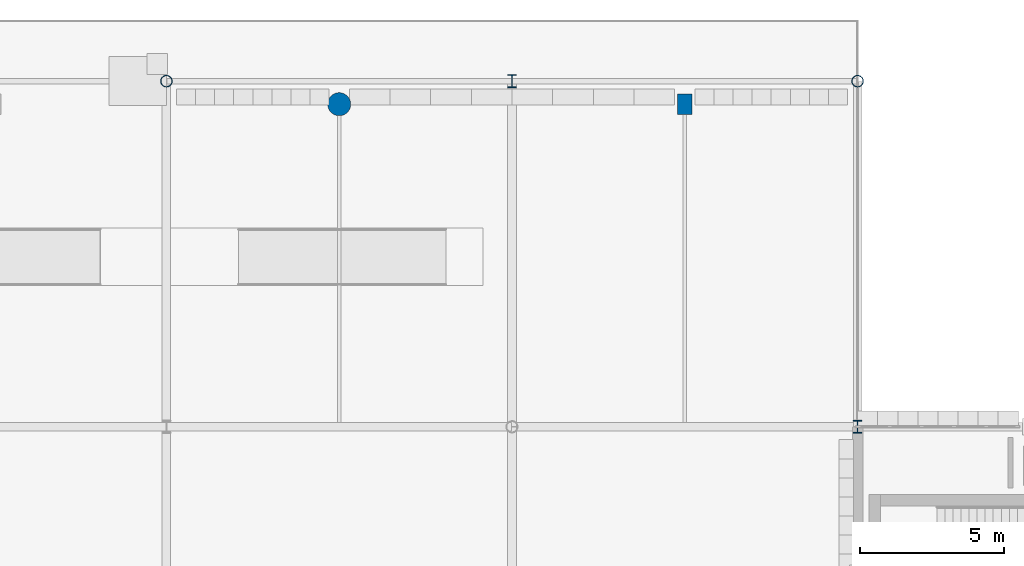
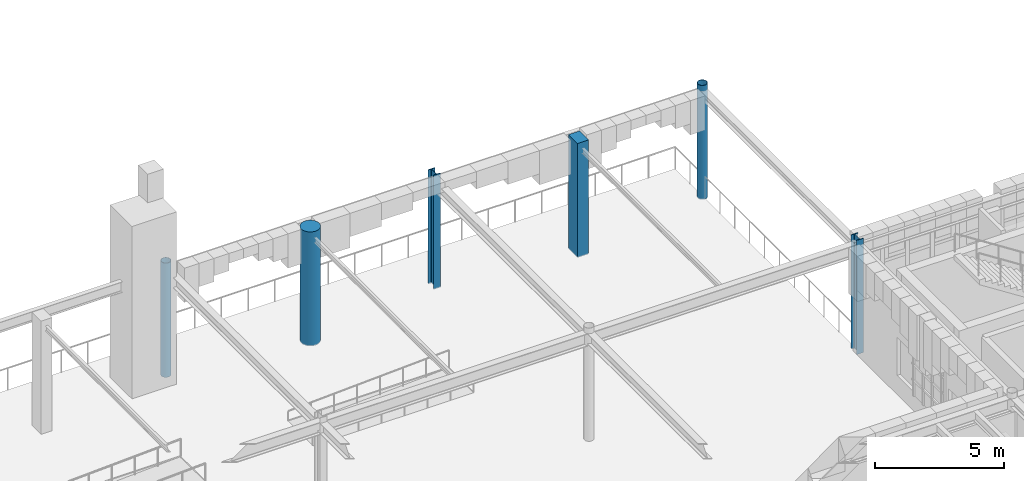
# One storey, part 11 of 103: 6 columns.
"""IFC4 building model written with IfcOpenShell, lengths in metres."""

from ifc_helpers import new_model, si_unit, direction, frame, origin, origin_2d, place, context, subcontext, project, spatial, rectangle, circle, hollow_circle, i_section, extrude, material, material_profile, profile_set, type_object, element, save


model = new_model("IFC4")

# Units and contexts
model_context = context("Model", 3, precision=1e-05, world=origin(), true_north=direction((0.0, 1.0)))
body_context = subcontext(model_context, "Body", "Model", "MODEL_VIEW")
ifc_project = project(units=[si_unit("LENGTHUNIT", "METRE"), si_unit("AREAUNIT", "SQUARE_METRE"), si_unit("VOLUMEUNIT", "CUBIC_METRE"), si_unit("PLANEANGLEUNIT", "RADIAN"), si_unit("MASSUNIT", "GRAM", prefix="KILO")], contexts=[model_context])

# Site, building, storey
site_placement = place(None, origin())
site = spatial("IfcSite", under=ifc_project, at=site_placement, CompositionType="ELEMENT")
building_placement = place(site_placement, origin())
building = spatial("IfcBuilding", under=site, at=building_placement, Name="Zlatogorsky Bluff Art Gallery", CompositionType="ELEMENT")
storey_placement = place(building_placement, origin())
storey = spatial("IfcBuildingStorey", under=building, at=storey_placement, Name="L00", CompositionType="ELEMENT", Elevation=0.0)

# Columns
ifc_material_1 = material(Name="Steel S355", Category="steel")
ifc_material_profile_1 = material_profile(ifc_material_1, i_section(OverallWidth=0.300048828125, OverallDepth=0.449951171875, WebThickness=0.013916015625, FlangeThickness=0.02587890625, FilletRadius=0.027099609375, at=origin_2d()), Name="HEB 450")
ifc_profile_set_1 = profile_set([ifc_material_profile_1], Name="Steel S355")
column_type_1 = type_object("IfcColumnType", Name="Column CL-03 HEB 450", PredefinedType="COLUMN", material=ifc_profile_set_1)
for number, where, z_axis, x_axis, name in (
    (1, (108.0, 120.0, 0.0), (0.0, 0.0, 1.0), (1.0, 0.0, 0.0), "Column CL-03 L00 K12"),
    (2, (120.0, 108.0, 0.0), (0.0, 0.0, 1.0), (1.0, 0.0, 0.0), "Column CL-03 L00 L11"),
):
    element("IfcColumn", number, at=place(storey_placement, frame(where, z_axis=z_axis, x_axis=x_axis)), inside=storey, type_object=column_type_1, Name=name, PredefinedType="COLUMN", context=body_context, shape_type="SweptSolid", body=[
        extrude(i_section(OverallWidth=0.300048828125, OverallDepth=0.449951171875, WebThickness=0.013916015625, FlangeThickness=0.02587890625, FilletRadius=0.027099609375, at=origin_2d()), origin(), (0.0, 0.0, 1.0), 5.39990234375),
    ])
ifc_material_profile_2 = material_profile(ifc_material_1, hollow_circle(Radius=0.203125, WallThickness=0.01611328125, at=origin_2d()), Name="CHS 406.4x16")
ifc_profile_set_2 = profile_set([ifc_material_profile_2], Name="Steel S355")
column_type_2 = type_object("IfcColumnType", Name="Column CL-09 CHS 406.4x16", PredefinedType="COLUMN", material=ifc_profile_set_2)
for number, where, z_axis, x_axis, name in (
    (3, (96.0, 120.0, 0.0), (0.0, 0.0, 1.0), (1.0, 0.0, 0.0), "Column CL-09 L00 J12"),
    (4, (120.0, 120.0, 0.0), (0.0, 0.0, 1.0), (1.0, 0.0, 0.0), "Column CL-09 L00 L12"),
):
    element("IfcColumn", number, at=place(storey_placement, frame(where, z_axis=z_axis, x_axis=x_axis)), inside=storey, type_object=column_type_2, Name=name, PredefinedType="COLUMN", context=body_context, shape_type="SweptSolid", body=[
        extrude(hollow_circle(Radius=0.203125, WallThickness=0.01611328125, at=origin_2d()), origin(), (0.0, 0.0, 1.0), 5.39990234375),
    ])
ifc_material_2 = material(Name="Concrete C35/45", Category="concrete")
ifc_material_profile_3 = material_profile(ifc_material_2, rectangle(XDim=0.5, YDim=0.699951171875, at=origin_2d()), Name="RC PILASTER 500x700")
ifc_profile_set_3 = profile_set([ifc_material_profile_3], Name="Concrete C35/45")
column_type_3 = type_object("IfcColumnType", Name="Column PL-C1 RC PILASTER 500x700", PredefinedType="PILASTER", material=ifc_profile_set_3)
column_1_placement = place(storey_placement, frame((114.0, 119.199951171875, 0.0), z_axis=(0.0, 0.0, 1.0), x_axis=(1.0, 0.0, 0.0)))
element("IfcColumn", 5, at=column_1_placement, inside=storey, type_object=column_type_3, Name="Forecourt colonnade pilaster PL-C1 5", PredefinedType="PILASTER", context=body_context, shape_type="SweptSolid", body=[
    extrude(rectangle(XDim=0.5, YDim=0.699951171875, at=origin_2d()), origin(), (0.0, 0.0, 1.0), 5.39990234375),
])
ifc_material_profile_4 = material_profile(ifc_material_2, circle(Radius=0.39990234375, at=origin_2d()), Name="RC D800")
ifc_profile_set_4 = profile_set([ifc_material_profile_4], Name="Concrete C35/45")
column_type_4 = type_object("IfcColumnType", Name="Column PL-C2 RC D800", PredefinedType="PILASTER", material=ifc_profile_set_4)
column_2_placement = place(storey_placement, frame((102.0, 119.199951171875, 0.0), z_axis=(0.0, 0.0, 1.0), x_axis=(1.0, 0.0, 0.0)))
element("IfcColumn", 6, at=column_2_placement, inside=storey, type_object=column_type_4, Name="Forecourt colonnade pilaster PL-C2 4", PredefinedType="PILASTER", context=body_context, shape_type="SweptSolid", body=[
    extrude(circle(Radius=0.39990234375, at=origin_2d()), origin(), (0.0, 0.0, 1.0), 5.39990234375),
])

save(model, "model.ifc")
